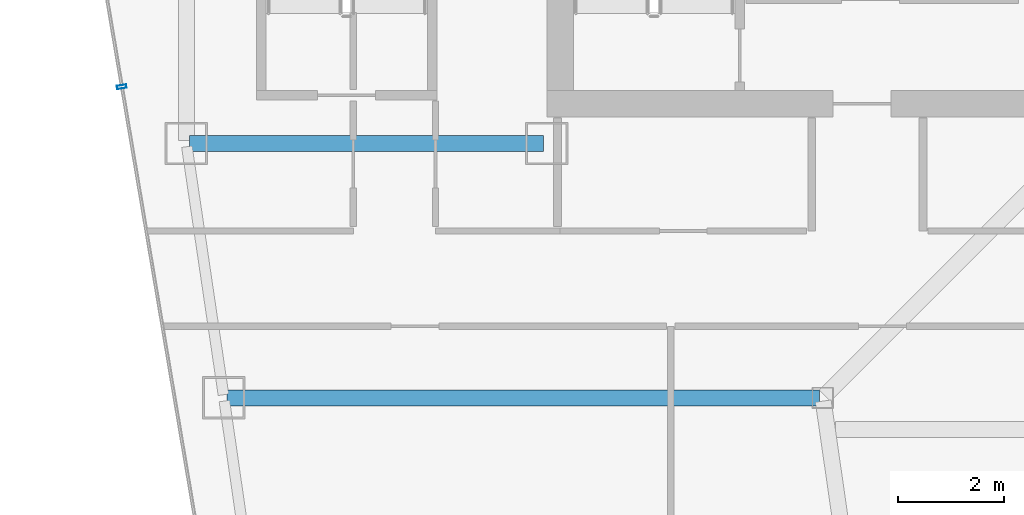
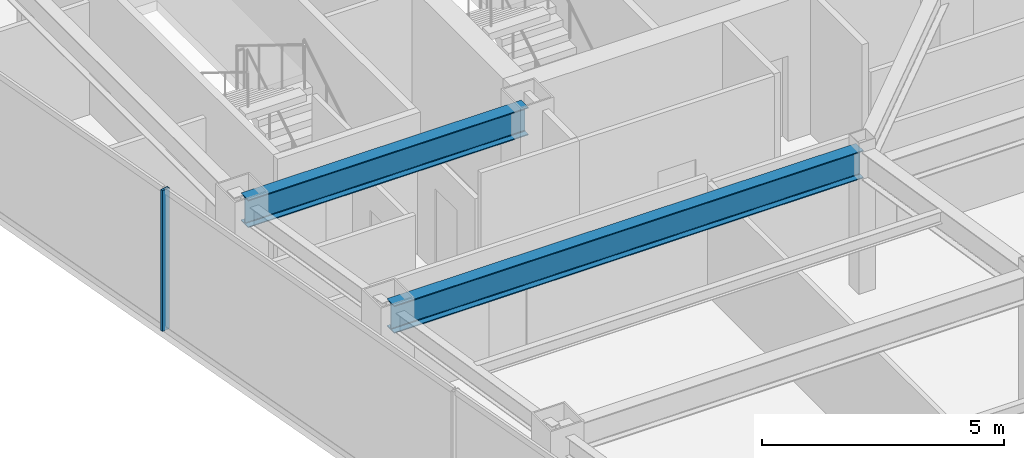
# One storey, part 11 of 35: 2 beams, 1 member, 1 element without a shape of its own.
"""IFC4 building model written with IfcOpenShell, lengths in metres."""

from ifc_helpers import new_model, si_unit, direction, frame, origin, origin_2d, place, context, subcontext, project, spatial, hollow_rectangle, i_section, extrude, material, material_profile, profile_set, type_object, element, aggregate, save


model = new_model("IFC4")

# Units and contexts
model_context = context("Model", 3, precision=1e-05, world=origin(), true_north=direction((0.0, 1.0)))
body_context = subcontext(model_context, "Body", "Model", "MODEL_VIEW")
ifc_project = project(units=[si_unit("LENGTHUNIT", "METRE"), si_unit("AREAUNIT", "SQUARE_METRE"), si_unit("VOLUMEUNIT", "CUBIC_METRE"), si_unit("PLANEANGLEUNIT", "RADIAN"), si_unit("MASSUNIT", "GRAM", prefix="KILO")], contexts=[model_context])

# Site, building, storey
site_placement = place(None, origin())
site = spatial("IfcSite", under=ifc_project, at=site_placement, CompositionType="ELEMENT")
building_placement = place(site_placement, origin())
building = spatial("IfcBuilding", under=site, at=building_placement, Name="Saevonmaru Cultural Tower", CompositionType="ELEMENT")
storey_placement = place(building_placement, frame((0.0, 0.0, 213.199951171875)))
storey = spatial("IfcBuildingStorey", under=building, at=storey_placement, Name="L49", CompositionType="ELEMENT", Elevation=213.199951171875)

# Beams
ifc_material_1 = material(Name="Steel SM355", Category="steel")
ifc_material_profile_1 = material_profile(ifc_material_1, i_section(OverallWidth=0.300048828125, OverallDepth=0.699951171875, WebThickness=0.012939453125, FlangeThickness=0.02392578125, FilletRadius=0.02587890625, at=origin_2d()), Name="H-700x300x13x24")
ifc_profile_set_1 = profile_set([ifc_material_profile_1], Name="Steel SM355")
beam_type = type_object("IfcBeamType", Name="BM-G-H700", PredefinedType="BEAM", material=ifc_profile_set_1)
beam_1_placement = place(storey_placement, frame((6.860107421875, 42.39990234375, 3.199951171875), z_axis=(1.0, 0.0, 0.0), x_axis=(0.0, 1.0, 0.0)))
element("IfcBeam", 1, at=beam_1_placement, inside=storey, type_object=beam_type, Name="L49 Core South Girder 1", PredefinedType="BEAM", context=body_context, shape_type="SweptSolid", body=[
    extrude(i_section(OverallWidth=0.300048828125, OverallDepth=0.699951171875, WebThickness=0.012939453125, FlangeThickness=0.02392578125, FilletRadius=0.02587890625, at=origin_2d()), origin(), (0.0, 0.0, 1.0), 6.679931640625),
])
beam_2_placement = place(storey_placement, frame((7.568115234375, 37.60009765625, 3.199951171875), z_axis=(1.0, 0.0, 0.0), x_axis=(0.0, 1.0, 0.0)))
element("IfcBeam", 2, at=beam_2_placement, inside=storey, type_object=beam_type, Name="L49 West Wing Transverse Girder 4", PredefinedType="BEAM", context=body_context, shape_type="SweptSolid", body=[
    extrude(i_section(OverallWidth=0.300048828125, OverallDepth=0.699951171875, WebThickness=0.012939453125, FlangeThickness=0.02392578125, FilletRadius=0.02587890625, at=origin_2d()), origin(), (0.0, 0.0, 1.0), 11.179931640625),
])

# Curtain wall, member
ifc_material_2 = material(Name="Satin Bronze Anodised Aluminium", Category="aluminium")
curtain_wall_type = type_object("IfcCurtainWallType", Name="CW-TYP-B", PredefinedType="NOTDEFINED", material=ifc_material_2)
curtain_wall_placement = place(storey_placement, origin())
curtain_wall = element("IfcCurtainWall", 3, at=curtain_wall_placement, inside=storey, type_object=curtain_wall_type, Name="L49 Unitised Curtain Wall E12", PredefinedType="NOTDEFINED")
ifc_material_profile_2 = material_profile(ifc_material_2, hollow_rectangle(XDim=0.06494140625, YDim=0.179931640625, WallThickness=0.00390625, at=origin_2d()), Name="ALU-MULL-180x65x4")
ifc_profile_set_2 = profile_set([ifc_material_profile_2], Name="Satin Bronze Anodised Aluminium")
member_type = type_object("IfcMemberType", Name="ML-CW-180x65", PredefinedType="MULLION", material=ifc_profile_set_2)
member_placement = place(storey_placement, frame((5.579345703125, 43.470458984375, 0.0), z_axis=(0.0, 0.0, 1.0), x_axis=(0.16692169721, -0.985970155228, 0.0)))
member = element("IfcMember", 4, at=member_placement, type_object=member_type, Name="CW-TW-L49-E12 mullion 2", PredefinedType="MULLION", context=body_context, shape_type="SweptSolid", body=[
    extrude(hollow_rectangle(XDim=0.06494140625, YDim=0.179931640625, WallThickness=0.00390625, at=origin_2d()), origin(), (0.0, 0.0, 1.0), 3.550048828125),
])
aggregate(curtain_wall, [member])

save(model, "model.ifc")
